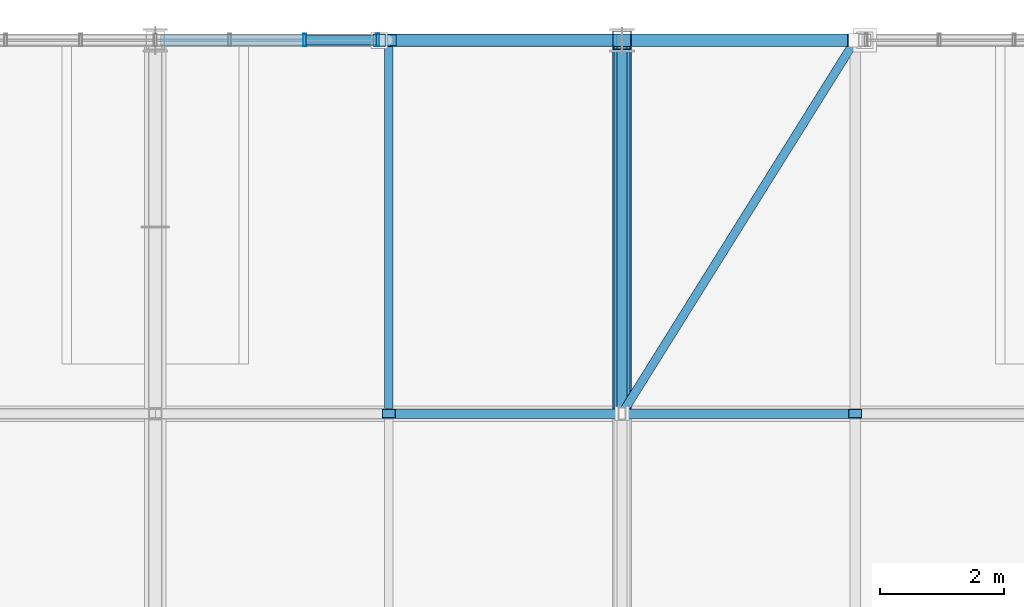
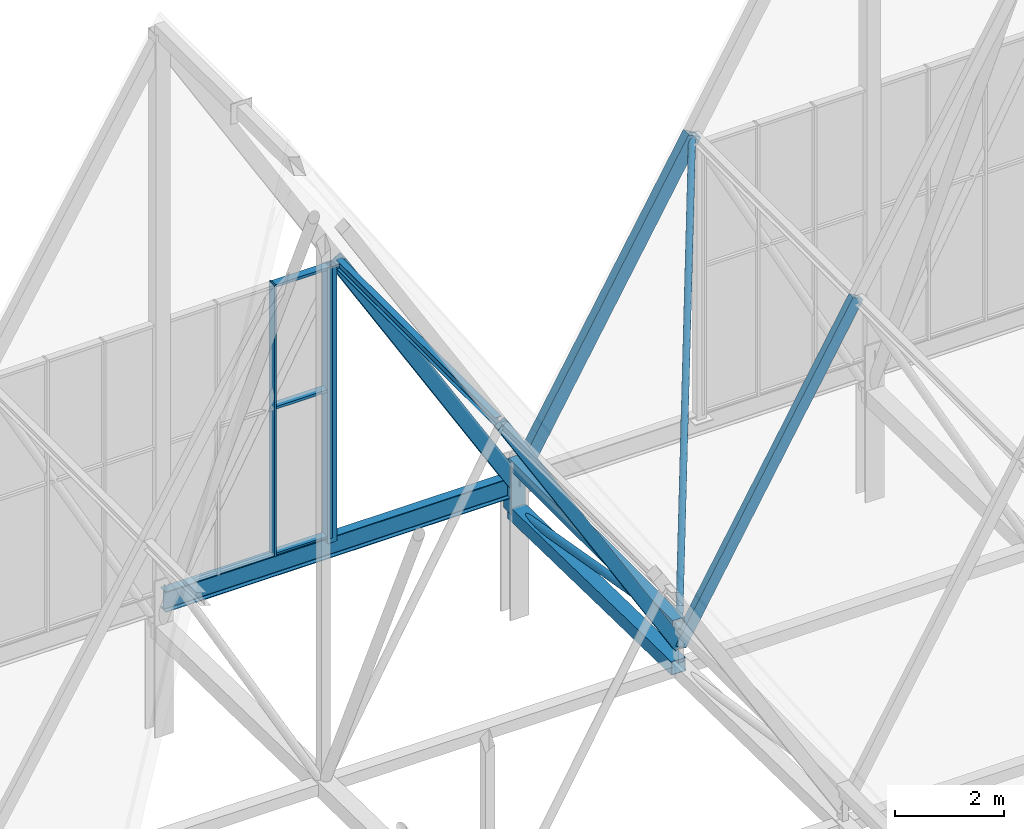
# One storey, part 116 of 324: 15 members, 2 beams, 1 element without a shape of its own.
"""IFC4 building model written with IfcOpenShell, lengths in metres."""

import ifcopenshell
import ifcopenshell.guid

model = None  # the IFC model being written
_history = None  # IfcOwnerHistory: only IFC2X3 demands one
_inside = {}  # id of a spatial element -> (the spatial element, [elements in it])
_under = {}  # id of a project, library or spatial element -> (it, [spatial elements below it])
_declared = {}  # id of a project -> (the project, [libraries it declares])
_typed = {}  # id of a type object -> (the type object, [elements of that type])
_made_of = {}  # id of a material, layer set ... -> (it, [elements and type objects made of it])


def new_model(schema):
    """Start an empty IFC model of exactly this schema.

    Asked for "IFC4X3", IfcOpenShell would pick the latest addendum, in which some entities
    have other attributes; the version numbers below select the first issue.
    IFC2X3 requires an IfcOwnerHistory on every rooted entity: one is made here for all.
    """
    global model, _history
    if schema == "IFC4X3":
        model = ifcopenshell.file(schema_version=(4, 3, 0, 0))
    else:
        model = ifcopenshell.file(schema=schema)
    _inside.clear()
    _under.clear()
    _declared.clear()
    _typed.clear()
    _made_of.clear()
    _history = None
    if model.schema == "IFC2X3":
        org = make("IfcOrganization", Name="unknown")
        user = make(
            "IfcPersonAndOrganization",
            ThePerson=make("IfcPerson", FamilyName="unknown"),
            TheOrganization=org,
        )
        app = make(
            "IfcApplication",
            ApplicationDeveloper=org,
            Version="unknown",
            ApplicationFullName="unknown",
            ApplicationIdentifier="unknown",
        )
        _history = make(
            "IfcOwnerHistory",
            OwningUser=user,
            OwningApplication=app,
            ChangeAction="ADDED",
            CreationDate=0,
        )
    return model


def make(cls, **values):
    """One entity of the class cls with the attributes given. An attribute that is None is left unset."""
    return model.create_entity(
        cls, **{name: value for name, value in values.items() if value is not None}
    )


def rooted(cls, **values):
    """An entity with a GlobalId (a new one), such as an element, a storey or a relation."""
    return make(cls, GlobalId=ifcopenshell.guid.new(), OwnerHistory=_history, **values)


def si_unit(unit_type, name, prefix=None):
    """IfcSIUnit, for example si_unit("LENGTHUNIT", "METRE", prefix="MILLI")."""
    return make("IfcSIUnit", UnitType=unit_type, Prefix=prefix, Name=name)


def assignment(units):
    """IfcUnitAssignment: the units of a project."""
    return None if units is None else make("IfcUnitAssignment", Units=units)


def point(xyz):
    """IfcCartesianPoint."""
    return None if xyz is None else make("IfcCartesianPoint", Coordinates=xyz)


def direction(xyz):
    """IfcDirection."""
    return None if xyz is None else make("IfcDirection", DirectionRatios=xyz)


def frame(location, z_axis=None, x_axis=None):
    """IfcAxis2Placement3D, a coordinate frame: its origin and axes. An axis left out is left unset."""
    return make(
        "IfcAxis2Placement3D",
        Location=point(location),
        Axis=direction(z_axis),
        RefDirection=direction(x_axis),
    )


def frame_2d(location, x_axis=None):
    """IfcAxis2Placement2D, a coordinate frame in the plane: its origin and x axis."""
    return make(
        "IfcAxis2Placement2D", Location=point(location), RefDirection=direction(x_axis)
    )


def origin():
    """The frame at (0, 0, 0) with its axes left unset."""
    return frame((0.0, 0.0, 0.0))


def origin_2d():
    """The frame at (0, 0) in the plane with its x axis left unset."""
    return frame_2d((0.0, 0.0))


def place(relative_to, where):
    """IfcLocalPlacement: puts the frame where relative to a parent placement (None: the world)."""
    return make(
        "IfcLocalPlacement", PlacementRelTo=relative_to, RelativePlacement=where
    )


def context(
    kind, dimensions, precision=None, world=None, true_north=None, identifier=None
):
    """IfcGeometricRepresentationContext, for example the 3D "Model" context."""
    return make(
        "IfcGeometricRepresentationContext",
        ContextIdentifier=identifier,
        ContextType=kind,
        CoordinateSpaceDimension=dimensions,
        Precision=precision,
        WorldCoordinateSystem=world,
        TrueNorth=true_north,
    )


def subcontext(parent, identifier, kind, view, scale=None):
    """IfcGeometricRepresentationSubContext, for example "Body" below "Model"."""
    return make(
        "IfcGeometricRepresentationSubContext",
        ContextIdentifier=identifier,
        ContextType=kind,
        ParentContext=parent,
        TargetScale=scale,
        TargetView=view,
    )


def project(units=None, contexts=None):
    """IfcProject with its units and contexts."""
    return rooted(
        "IfcProject",
        Name="project",
        RepresentationContexts=contexts,
        UnitsInContext=assignment(units),
    )


def spatial(cls, under=None, at=None, **own):
    """A site, building, storey or space (cls), placed at a placement, below another one or the project."""
    s = rooted(cls, ObjectPlacement=at, **own)
    if under is not None:
        _under.setdefault(under.id(), (under, []))[1].append(s)
    return s


def profile(cls, at=None, kind="AREA", **sizes):
    """A parametric profile (cls). Its sizes go by their IFC names, for example OverallWidth=200.0."""
    return make(cls, ProfileType=kind, Position=at, **sizes)


def hollow_rectangle(**sizes):
    """IfcRectangleHollowProfileDef."""
    return profile("IfcRectangleHollowProfileDef", **sizes)


def hollow_circle(**sizes):
    """IfcCircleHollowProfileDef."""
    return profile("IfcCircleHollowProfileDef", **sizes)


def i_section(**sizes):
    """IfcIShapeProfileDef."""
    return profile("IfcIShapeProfileDef", **sizes)


def extrude(swept, where, along, depth):
    """IfcExtrudedAreaSolid: the profile swept, set in the frame where, extruded along a direction by depth."""
    return make(
        "IfcExtrudedAreaSolid",
        SweptArea=swept,
        Position=where,
        ExtrudedDirection=direction(along),
        Depth=depth,
    )


def shape(context_of_items, identifier, shape_type, items):
    """IfcShapeRepresentation: the items that make up one representation, for example the "Body"."""
    return make(
        "IfcShapeRepresentation",
        ContextOfItems=context_of_items,
        RepresentationIdentifier=identifier,
        RepresentationType=shape_type,
        Items=items,
    )


def material(Name=None, Category=None):
    """IfcMaterial."""
    return make("IfcMaterial", Name=Name, Category=Category)


def layer(
    of_material, thickness, ventilated=None, Name=None, Category=None, Priority=None
):
    """IfcMaterialLayer: one layer of a wall or slab, of a material (None: an air gap)."""
    return make(
        "IfcMaterialLayer",
        Material=of_material,
        LayerThickness=thickness,
        IsVentilated=ventilated,
        Name=Name,
        Category=Category,
        Priority=Priority,
    )


def layer_set(layers, Name=None):
    """IfcMaterialLayerSet."""
    return make("IfcMaterialLayerSet", MaterialLayers=layers, LayerSetName=Name)


def material_profile(
    of_material, cross_section, Name=None, Category=None, Priority=None
):
    """IfcMaterialProfile: a cross section and its material."""
    return make(
        "IfcMaterialProfile",
        Name=Name,
        Material=of_material,
        Profile=cross_section,
        Priority=Priority,
        Category=Category,
    )


def profile_set(profiles, Name=None, composite=None):
    """IfcMaterialProfileSet."""
    return make(
        "IfcMaterialProfileSet",
        Name=Name,
        MaterialProfiles=profiles,
        CompositeProfile=composite,
    )


def made_of(thing, what):
    """Note that an element or type object is made of a material, layer set ...; save() writes the relation."""
    if what is not None:
        _made_of.setdefault(what.id(), (what, []))[1].append(thing)
    return thing


def type_object(cls, material=None, **own):
    """A type object (cls), such as IfcWallType, which elements share."""
    return made_of(rooted(cls, **own), material)


def element(
    cls,
    number,
    at=None,
    inside=None,
    cuts=None,
    type_object=None,
    material=None,
    context=None,
    identifier="Body",
    shape_type=None,
    held_by="IfcProductDefinitionShape",
    body=None,
    shapes=None,
    **own,
):
    """One element of the class cls, such as IfcWall. Its Tag is "e" and its number.

    at: its placement. inside: the storey or other place that contains it. cuts: it is an
    opening in that element (IfcRelVoidsElement). A single representation is given by context,
    identifier, shape_type and body (its items); several are given by shapes. held_by: the class
    of the entity that holds the representations. save() writes the other relations.
    """
    e = rooted(cls, Tag="e%d" % number, ObjectPlacement=at, **own)
    if body is not None:
        shapes = [shape(context, identifier, shape_type, body)]
    if shapes is not None:
        e.Representation = make(held_by, Representations=shapes)
    if inside is not None:
        _inside.setdefault(inside.id(), (inside, []))[1].append(e)
    if cuts is not None:
        rooted(
            "IfcRelVoidsElement", RelatingBuildingElement=cuts, RelatedOpeningElement=e
        )
    if type_object is not None:
        _typed.setdefault(type_object.id(), (type_object, []))[1].append(e)
    return made_of(e, material)


def aggregate(whole, parts):
    """IfcRelAggregates: a whole, such as a stair, and the parts it consists of."""
    return rooted("IfcRelAggregates", RelatingObject=whole, RelatedObjects=parts)


def save(model, path):
    """Write the relations noted so far, then the file.

    IfcRelAggregates (storeys below a building ...), IfcRelContainedInSpatialStructure (elements
    in a storey), IfcRelDefinesByType, IfcRelAssociatesMaterial and IfcRelDeclares: one each for
    every whole, place, type object, material and project.
    """
    for whole, parts in _under.values():
        aggregate(whole, parts)
    for where, things in _inside.values():
        rooted(
            "IfcRelContainedInSpatialStructure",
            RelatedElements=things,
            RelatingStructure=where,
        )
    for kind, things in _typed.values():
        rooted("IfcRelDefinesByType", RelatedObjects=things, RelatingType=kind)
    for what, things in _made_of.values():
        rooted("IfcRelAssociatesMaterial", RelatedObjects=things, RelatingMaterial=what)
    for by, libraries in _declared.values():
        rooted("IfcRelDeclares", RelatingContext=by, RelatedDefinitions=libraries)
    model.write(path)


model = new_model("IFC4")

# Units and contexts
model_context = context("Model", 3, precision=1e-05, world=origin(), true_north=direction((0.0, 1.0)))
body_context = subcontext(model_context, "Body", "Model", "MODEL_VIEW")
ifc_project = project(units=[si_unit("LENGTHUNIT", "METRE"), si_unit("AREAUNIT", "SQUARE_METRE"), si_unit("VOLUMEUNIT", "CUBIC_METRE"), si_unit("PLANEANGLEUNIT", "RADIAN"), si_unit("MASSUNIT", "GRAM", prefix="KILO")], contexts=[model_context])

# Site, building, storey
site_placement = place(None, origin())
site = spatial("IfcSite", under=ifc_project, at=site_placement, CompositionType="ELEMENT")
building_placement = place(site_placement, origin())
building = spatial("IfcBuilding", under=site, at=building_placement, Name="Solvenia Promenade Tram Depot", CompositionType="ELEMENT")
storey_placement = place(building_placement, frame((0.0, 0.0, 4.5)))
storey = spatial("IfcBuildingStorey", under=building, at=storey_placement, Name="L01", CompositionType="ELEMENT", Elevation=4.5)

# Curtain wall, members
ifc_material_1 = material(Name="Anodized aluminium AW-6063 T6", Category="aluminium")
ifc_layer = layer(ifc_material_1, 0.14990234375, Name="Anodized aluminium AW-6063 T6", Category="aluminium")
ifc_layer_set = layer_set([ifc_layer], Name="Anodized aluminium AW-6063 T6")
curtain_wall_type = type_object("IfcCurtainWallType", Name="CW-Gable-1200", PredefinedType="NOTDEFINED", material=ifc_layer_set)
curtain_wall_placement = place(storey_placement, origin())
curtain_wall = element("IfcCurtainWall", 1, at=curtain_wall_placement, inside=storey, type_object=curtain_wall_type, Name="North Zigzag Gable 03 Peak Glazing", PredefinedType="NOTDEFINED")
ifc_material_profile_1 = material_profile(ifc_material_1, hollow_rectangle(XDim=0.199951171875, YDim=0.048095703125, WallThickness=0.00390625, at=origin_2d()), Name="ALU-M3", Category="aluminium")
ifc_profile_set_1 = profile_set([ifc_material_profile_1], Name="Anodized aluminium AW-6063 T6")
member_type_1 = type_object("IfcMemberType", Name="CWM-Mullion-3", PredefinedType="MULLION", material=ifc_profile_set_1)
member_1_placement = place(storey_placement, frame((39.89990234375, 126.0, 3.10009765625), z_axis=(0.0, 0.0, 1.0), x_axis=(0.0, 1.0, 0.0)))
member_1 = element("IfcMember", 2, at=member_1_placement, type_object=member_type_1, Name="CW-3 mullion 6", PredefinedType="MULLION", context=body_context, shape_type="SweptSolid", body=[
    extrude(hollow_rectangle(XDim=0.199951171875, YDim=0.048095703125, WallThickness=0.00390625, at=origin_2d()), origin(), (0.0, 0.0, 1.0), 6.0498046875),
])
member_2_placement = place(storey_placement, frame((41.075927734375, 126.0, 3.10009765625), z_axis=(0.0, 0.0, 1.0), x_axis=(0.0, 1.0, 0.0)))
member_2 = element("IfcMember", 3, at=member_2_placement, type_object=member_type_1, Name="CW-3 mullion 7", PredefinedType="MULLION", context=body_context, shape_type="SweptSolid", body=[
    extrude(hollow_rectangle(XDim=0.199951171875, YDim=0.048095703125, WallThickness=0.00390625, at=origin_2d()), origin(), (0.0, 0.0, 1.0), 6.0498046875),
])
ifc_material_profile_2 = material_profile(ifc_material_1, hollow_rectangle(XDim=0.159912109375, YDim=0.05810546875, WallThickness=0.00390625, at=origin_2d()), Name="ALU-T3", Category="aluminium")
ifc_profile_set_2 = profile_set([ifc_material_profile_2], Name="Anodized aluminium AW-6063 T6")
member_type_2 = type_object("IfcMemberType", Name="CWT-Transom-3", PredefinedType="USERDEFINED", material=ifc_profile_set_2)
member_3_placement = place(storey_placement, frame((39.924072265625, 126.0, 3.12890625), z_axis=(1.0, 0.0, 0.0), x_axis=(0.0, 1.0, 0.0)))
member_3 = element("IfcMember", 4, at=member_3_placement, type_object=member_type_2, Name="CW-3 transom 6.1", ObjectType="TRANSOM", PredefinedType="USERDEFINED", context=body_context, shape_type="SweptSolid", body=[
    extrude(hollow_rectangle(XDim=0.159912109375, YDim=0.05810546875, WallThickness=0.00390625, at=origin_2d()), origin(), (0.0, 0.0, 1.0), 1.1279296875),
])
member_4_placement = place(storey_placement, frame((39.924072265625, 126.0, 6.39990234375), z_axis=(1.0, 0.0, 0.0), x_axis=(0.0, 1.0, 0.0)))
member_4 = element("IfcMember", 5, at=member_4_placement, type_object=member_type_2, Name="CW-3 transom 6.2", ObjectType="TRANSOM", PredefinedType="USERDEFINED", context=body_context, shape_type="SweptSolid", body=[
    extrude(hollow_rectangle(XDim=0.159912109375, YDim=0.05810546875, WallThickness=0.00390625, at=origin_2d()), origin(), (0.0, 0.0, 1.0), 1.1279296875),
])
member_5_placement = place(storey_placement, frame((39.924072265625, 126.0, 9.12109375), z_axis=(1.0, 0.0, 0.0), x_axis=(0.0, 1.0, 0.0)))
member_5 = element("IfcMember", 6, at=member_5_placement, type_object=member_type_2, Name="CW-3 transom 6.3", ObjectType="TRANSOM", PredefinedType="USERDEFINED", context=body_context, shape_type="SweptSolid", body=[
    extrude(hollow_rectangle(XDim=0.159912109375, YDim=0.05810546875, WallThickness=0.00390625, at=origin_2d()), origin(), (0.0, 0.0, 1.0), 1.1279296875),
])
aggregate(curtain_wall, [member_1, member_2, member_3, member_4, member_5])

# Members
ifc_material_2 = material(Name="Structural steel ASTM A500 Gr. C", Category="steel")
ifc_material_profile_3 = material_profile(ifc_material_2, hollow_rectangle(XDim=0.14990234375, YDim=0.25, WallThickness=0.010009765625, at=origin_2d()), Name="HSS250x150x10", Category="steel")
ifc_profile_set_3 = profile_set([ifc_material_profile_3], Name="Structural steel ASTM A500 Gr. C")
member_type_3 = type_object("IfcMemberType", Name="Chord-HSS250x150x10", PredefinedType="CHORD", material=ifc_profile_set_3)
member_6_placement = place(storey_placement, frame((41.25, 120.0, 9.1787109375), z_axis=(0.514584433357, 0.0, -0.857439712718), x_axis=(0.0, 1.0, 0.0)))
element("IfcMember", 7, at=member_6_placement, inside=storey, type_object=member_type_3, Name="Zigzag Gable 03 East Lower Rafter", PredefinedType="CHORD", context=body_context, shape_type="SweptSolid", body=[
    extrude(hollow_rectangle(XDim=0.14990234375, YDim=0.25, WallThickness=0.010009765625, at=origin_2d()), origin(), (0.0, 0.0, 1.0), 7.287353515625),
])
member_7_placement = place(storey_placement, frame((45.0, 120.0, 2.921142578125), z_axis=(0.501516268578, 0.0, 0.865148214095), x_axis=(0.0, 1.0, 0.0)))
element("IfcMember", 8, at=member_7_placement, inside=storey, type_object=member_type_3, Name="Zigzag Gable 04 West Lower Rafter", PredefinedType="CHORD", context=body_context, shape_type="SweptSolid", body=[
    extrude(hollow_rectangle(XDim=0.14990234375, YDim=0.25, WallThickness=0.010009765625, at=origin_2d()), origin(), (0.0, 0.0, 1.0), 7.477294921875),
])
ifc_material_profile_4 = material_profile(ifc_material_2, hollow_rectangle(XDim=0.25, YDim=0.25, WallThickness=0.010009765625, at=origin_2d()), Name="HSS250x250x10", Category="steel")
ifc_profile_set_4 = profile_set([ifc_material_profile_4], Name="Structural steel ASTM A500 Gr. C")
member_type_4 = type_object("IfcMemberType", Name="Chord-HSS250x250x10", PredefinedType="CHORD", material=ifc_profile_set_4)
member_8_placement = place(storey_placement, frame((45.0, 120.0, 3.3798828125), z_axis=(0.0, 1.0, 0.0), x_axis=(-1.0, 0.0, 0.0)))
element("IfcMember", 9, at=member_8_placement, inside=storey, type_object=member_type_4, Name="Arched Truss T07 Upper Chord S10", PredefinedType="CHORD", context=body_context, shape_type="SweptSolid", body=[
    extrude(hollow_rectangle(XDim=0.25, YDim=0.25, WallThickness=0.010009765625, at=origin_2d()), origin(), (0.0, 0.0, 1.0), 6.0),
])
ifc_material_profile_5 = material_profile(ifc_material_2, hollow_rectangle(XDim=0.199951171875, YDim=0.300048828125, WallThickness=0.012451171875, at=origin_2d()), Name="HSS300x200x12.5", Category="steel")
ifc_profile_set_5 = profile_set([ifc_material_profile_5], Name="Structural steel ASTM A500 Gr. C")
member_type_5 = type_object("IfcMemberType", Name="Chord-HSS300x200x12", PredefinedType="CHORD", material=ifc_profile_set_5)
member_9_placement = place(storey_placement, frame((41.25, 126.0, 9.1787109375), z_axis=(0.514584433357, 0.0, -0.857439712718), x_axis=(0.0, 1.0, 0.0)))
element("IfcMember", 10, at=member_9_placement, inside=storey, type_object=member_type_5, Name="Zigzag Gable 03 East Lower Rafter", PredefinedType="CHORD", context=body_context, shape_type="SweptSolid", body=[
    extrude(hollow_rectangle(XDim=0.199951171875, YDim=0.300048828125, WallThickness=0.012451171875, at=origin_2d()), origin(), (0.0, 0.0, 1.0), 7.287353515625),
])
member_10_placement = place(storey_placement, frame((45.0, 126.0, 2.921142578125), z_axis=(0.501516268578, 0.0, 0.865148214095), x_axis=(0.0, 1.0, 0.0)))
element("IfcMember", 11, at=member_10_placement, inside=storey, type_object=member_type_5, Name="Zigzag Gable 04 West Lower Rafter", PredefinedType="CHORD", context=body_context, shape_type="SweptSolid", body=[
    extrude(hollow_rectangle(XDim=0.199951171875, YDim=0.300048828125, WallThickness=0.012451171875, at=origin_2d()), origin(), (0.0, 0.0, 1.0), 7.477294921875),
])
ifc_material_profile_6 = material_profile(ifc_material_2, hollow_rectangle(XDim=0.300048828125, YDim=0.300048828125, WallThickness=0.012451171875, at=origin_2d()), Name="HSS300x300x12.5", Category="steel")
ifc_profile_set_6 = profile_set([ifc_material_profile_6], Name="Structural steel ASTM A500 Gr. C")
member_type_6 = type_object("IfcMemberType", Name="Chord-HSS300x300x12", PredefinedType="CHORD", material=ifc_profile_set_6)
member_11_placement = place(storey_placement, frame((45.0, 126.0, 2.320068359375), z_axis=(0.0, 0.0, 1.0), x_axis=(1.0, 0.0, 0.0)))
element("IfcMember", 12, at=member_11_placement, inside=storey, type_object=member_type_6, Name="Arched Truss T07 N End Post", PredefinedType="CHORD", context=body_context, shape_type="SweptSolid", body=[
    extrude(hollow_rectangle(XDim=0.300048828125, YDim=0.300048828125, WallThickness=0.012451171875, at=origin_2d()), origin(), (0.0, 0.0, 1.0), 1.059814453125),
])
member_12_placement = place(storey_placement, frame((45.0, 120.0, 2.446044921875), z_axis=(0.0, 0.999779654873, -0.020991467363), x_axis=(-1.0, 0.0, 0.0)))
element("IfcMember", 13, at=member_12_placement, inside=storey, type_object=member_type_6, Name="Arched Truss T07 Bottom Chord S10", PredefinedType="CHORD", context=body_context, shape_type="SweptSolid", body=[
    extrude(hollow_rectangle(XDim=0.300048828125, YDim=0.300048828125, WallThickness=0.012451171875, at=origin_2d()), origin(), (0.0, 0.0, 1.0), 6.001220703125),
])
ifc_material_profile_7 = material_profile(ifc_material_2, hollow_rectangle(XDim=0.199951171875, YDim=0.199951171875, WallThickness=0.010009765625, at=origin_2d()), Name="HSS200x200x10", Category="steel")
ifc_profile_set_7 = profile_set([ifc_material_profile_7], Name="Structural steel ASTM A500 Gr. C")
member_type_7 = type_object("IfcMemberType", Name="Post-HSS200x200x10", PredefinedType="POST", material=ifc_profile_set_7)
member_13_placement = place(storey_placement, frame((41.10009765625, 126.0, 3.0), z_axis=(0.0, 0.0, 1.0), x_axis=(1.0, 0.0, 0.0)))
element("IfcMember", 14, at=member_13_placement, inside=storey, type_object=member_type_7, Name="Gable Curtain-Wall Steel Jamb Post 010", PredefinedType="POST", context=body_context, shape_type="SweptSolid", body=[
    extrude(hollow_rectangle(XDim=0.199951171875, YDim=0.199951171875, WallThickness=0.010009765625, at=origin_2d()), origin(), (0.0, 0.0, 1.0), 6.14990234375),
])

# Beam
ifc_material_3 = material(Name="Structural steel ASTM A992 Gr. 50", Category="steel")
ifc_material_profile_8 = material_profile(ifc_material_3, i_section(OverallWidth=0.133056640625, OverallDepth=0.20703125, WebThickness=0.005859375, FlangeThickness=0.00830078125, FilletRadius=0.009033203125, at=origin_2d()), Name="W200x27", Category="steel")
ifc_profile_set_8 = profile_set([ifc_material_profile_8], Name="Structural steel ASTM A992 Gr. 50")
beam_type_1 = type_object("IfcBeamType", Name="Purlin-W200x27", PredefinedType="USERDEFINED", material=ifc_profile_set_8)
beam_1_placement = place(storey_placement, frame((41.25, 120.0849609375, 9.169677734375), z_axis=(0.0, 1.0, 0.0), x_axis=(-1.0, 0.0, 0.0)))
element("IfcBeam", 15, at=beam_1_placement, inside=storey, type_object=beam_type_1, Name="Gable Roof Purlin E-0060", ObjectType="PURLIN", PredefinedType="USERDEFINED", context=body_context, shape_type="SweptSolid", body=[
    extrude(i_section(OverallWidth=0.133056640625, OverallDepth=0.20703125, WebThickness=0.005859375, FlangeThickness=0.00830078125, FilletRadius=0.009033203125, at=origin_2d()), origin(), (0.0, 0.0, 1.0), 5.830078125),
])

# Member
ifc_material_profile_9 = material_profile(ifc_material_2, hollow_circle(Radius=0.06982421875, WallThickness=0.00634765625, at=origin_2d()), Name="CHS139.7x6.3", Category="steel")
ifc_profile_set_9 = profile_set([ifc_material_profile_9], Name="Structural steel ASTM A500 Gr. C")
member_type_8 = type_object("IfcMemberType", Name="RoofBrace-CHS140x6", PredefinedType="BRACE", material=ifc_profile_set_9)
member_14_placement = place(storey_placement, frame((45.0, 120.0, 2.921142578125), z_axis=(0.391155079769, 0.625848127631, 0.674767978428), x_axis=(-0.847998304005, 0.529998940003, 0.0)))
element("IfcMember", 16, at=member_14_placement, inside=storey, type_object=member_type_8, Name="Roof Plan Wind Brace 008", PredefinedType="BRACE", context=body_context, shape_type="SweptSolid", body=[
    extrude(hollow_circle(Radius=0.06982421875, WallThickness=0.00634765625, at=origin_2d()), origin(), (0.0, 0.0, 1.0), 9.5869140625),
])

# Beam
ifc_material_profile_10 = material_profile(ifc_material_3, i_section(OverallWidth=0.19091796875, OverallDepth=0.4599609375, WebThickness=0.010009765625, FlangeThickness=0.01611328125, FilletRadius=0.012939453125, at=origin_2d()), Name="W460x82", Category="steel")
ifc_profile_set_10 = profile_set([ifc_material_profile_10], Name="Structural steel ASTM A992 Gr. 50")
beam_type_2 = type_object("IfcBeamType", Name="Spandrel-W460x82", PredefinedType="SPANDREL", material=ifc_profile_set_10)
beam_2_placement = place(storey_placement, frame((37.5849609375, 126.0, 2.889892578125), z_axis=(1.0, 0.0, 0.0), x_axis=(0.0, 1.0, 0.0)))
element("IfcBeam", 17, at=beam_2_placement, inside=storey, type_object=beam_type_2, Name="North Shed Eave Girder BM-L01-0973", PredefinedType="SPANDREL", context=body_context, shape_type="SweptSolid", body=[
    extrude(i_section(OverallWidth=0.19091796875, OverallDepth=0.4599609375, WebThickness=0.010009765625, FlangeThickness=0.01611328125, FilletRadius=0.012939453125, at=origin_2d()), origin(), (0.0, 0.0, 1.0), 7.330078125),
])

# Member
ifc_material_profile_11 = material_profile(ifc_material_2, hollow_circle(Radius=0.084228515625, WallThickness=0.008056640625, at=origin_2d()), Name="CHS168.3x8", Category="steel")
ifc_profile_set_11 = profile_set([ifc_material_profile_11], Name="Structural steel ASTM A500 Gr. C")
member_type_9 = type_object("IfcMemberType", Name="WebDiag-CHS168x8", PredefinedType="BRACE", material=ifc_profile_set_11)
member_15_placement = place(storey_placement, frame((45.0, 126.0, 2.320068359375), z_axis=(0.0, -0.984755712458, 0.173943056143), x_axis=(1.0, 0.0, 0.0)))
element("IfcMember", 18, at=member_15_placement, inside=storey, type_object=member_type_9, Name="Arched Truss T07 Web Diagonal S10", PredefinedType="BRACE", context=body_context, shape_type="SweptSolid", body=[
    extrude(hollow_circle(Radius=0.084228515625, WallThickness=0.008056640625, at=origin_2d()), origin(), (0.0, 0.0, 1.0), 6.0927734375),
])

save(model, "model.ifc")
